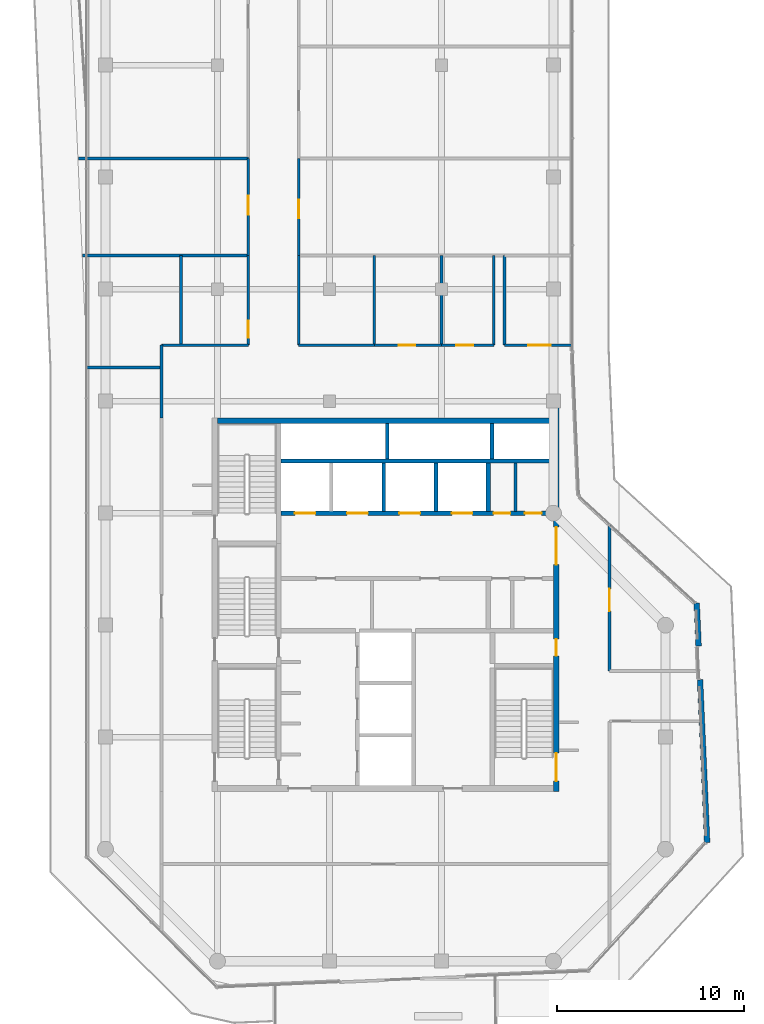
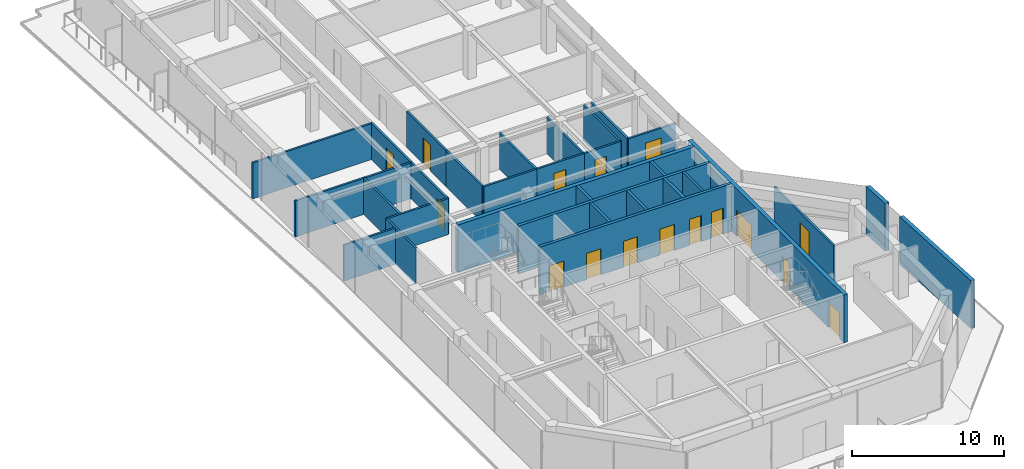
# One storey, part 17 of 20: 31 walls, 16 doors, 16 openings.
"""IFC4 building model written with IfcOpenShell, lengths in metres."""

from ifc_helpers import new_model, si_unit, direction, frame, frame_2d, origin, place, context, subcontext, project, spatial, rectangle, extrude, material, layer, layer_set, type_object, element, fill, save


model = new_model("IFC4")

# Units and contexts
model_context = context("Model", 3, precision=1e-05, world=origin(), true_north=direction((0.0, 1.0)))
body_context = subcontext(model_context, "Body", "Model", "MODEL_VIEW")
ifc_project = project(units=[si_unit("LENGTHUNIT", "METRE"), si_unit("AREAUNIT", "SQUARE_METRE"), si_unit("VOLUMEUNIT", "CUBIC_METRE"), si_unit("PLANEANGLEUNIT", "RADIAN"), si_unit("MASSUNIT", "GRAM", prefix="KILO")], contexts=[model_context])

# Site, building, storey
site_placement = place(None, origin())
site = spatial("IfcSite", under=ifc_project, at=site_placement, CompositionType="ELEMENT")
building_placement = place(site_placement, origin())
building = spatial("IfcBuilding", under=site, at=building_placement, Name="Welwitschia Terrace Campus", CompositionType="ELEMENT")
storey_placement = place(building_placement, frame((0.0, 0.0, 297.800048828125)))
storey = spatial("IfcBuildingStorey", under=building, at=storey_placement, Name="L66", CompositionType="ELEMENT", Elevation=297.800048828125)

# Wall
ifc_material_1 = material(Name="Concrete C32/40", Category="concrete")
ifc_layer_1 = layer(ifc_material_1, 0.175048828125)
ifc_layer_set_1 = layer_set([ifc_layer_1], Name="Concrete C32/40")
wall_type_1 = type_object("IfcWallType", Name="Core partition 175 Concrete C32/40", PredefinedType="PARTITIONING", material=ifc_layer_set_1)
wall_1_placement = place(storey_placement, frame((21.9599609375, 20.10009765625, 0.0), z_axis=(0.0, 0.0, 1.0), x_axis=(0.0, 1.0, 0.0)))
element("IfcWall", 1, at=wall_1_placement, inside=storey, type_object=wall_type_1, Name="Core partition", PredefinedType="PARTITIONING", context=body_context, shape_type="SweptSolid", body=[
    extrude(rectangle(XDim=2.599853515625, YDim=0.175048828125, at=frame_2d((1.2998046875, 0.0))), origin(), (0.0, 0.0, 1.0), 3.849853515625),
])

# Wall, openings, doors
ifc_material_2 = material(Name="Concrete C32/40", Category="concrete")
ifc_layer_2 = layer(ifc_material_2, 0.22509765625)
ifc_layer_set_2 = layer_set([ifc_layer_2], Name="Concrete C32/40")
wall_type_2 = type_object("IfcWallType", Name="Core partition 225 Concrete C32/40", PredefinedType="PARTITIONING", material=ifc_layer_set_2)
wall_2_placement = place(storey_placement, frame((24.0, 20.0, 0.0), z_axis=(0.0, 0.0, 1.0), x_axis=(-1.0, 0.0, 0.0)))
wall_2 = element("IfcWall", 2, at=wall_2_placement, inside=storey, type_object=wall_type_2, Name="Shaft wall", PredefinedType="PARTITIONING", context=body_context, shape_type="SweptSolid", body=[
    extrude(rectangle(XDim=14.60009765625, YDim=0.22509765625, at=frame_2d((7.300048828125, 0.0))), origin(), (0.0, 0.0, 1.0), 3.849853515625),
])
opening_1_placement = place(wall_2_placement, frame((12.75, 0.0, 0.0)))
opening_1 = element("IfcOpeningElement", 3, at=opening_1_placement, cuts=wall_2, Name="Opening LD", PredefinedType="OPENING", context=body_context, shape_type="SweptSolid", body=[
    extrude(rectangle(XDim=1.10009765625, YDim=2.10009765625, at=frame_2d((0.550048828125, 1.050048828125))), frame((0.0, 0.12255859375, 0.0), z_axis=(0.0, -1.0, 0.0), x_axis=(1.0, 0.0, 0.0)), (0.0, 0.0, 1.0), 0.2451171875),
])
opening_2_placement = place(wall_2_placement, frame((9.949951171875, 0.0, 0.0)))
opening_2 = element("IfcOpeningElement", 4, at=opening_2_placement, cuts=wall_2, Name="Opening LD", PredefinedType="OPENING", context=body_context, shape_type="SweptSolid", body=[
    extrude(rectangle(XDim=1.10009765625, YDim=2.10009765625, at=frame_2d((0.550048828125, 1.050048828125))), frame((0.0, 0.12255859375, 0.0), z_axis=(0.0, -1.0, 0.0), x_axis=(1.0, 0.0, 0.0)), (0.0, 0.0, 1.0), 0.2451171875),
])
opening_3_placement = place(wall_2_placement, frame((7.14990234375, 0.0, 0.0)))
opening_3 = element("IfcOpeningElement", 5, at=opening_3_placement, cuts=wall_2, Name="Opening LD", PredefinedType="OPENING", context=body_context, shape_type="SweptSolid", body=[
    extrude(rectangle(XDim=1.10009765625, YDim=2.10009765625, at=frame_2d((0.550048828125, 1.050048828125))), frame((0.0, 0.12255859375, 0.0), z_axis=(0.0, -1.0, 0.0), x_axis=(1.0, 0.0, 0.0)), (0.0, 0.0, 1.0), 0.2451171875),
])
opening_4_placement = place(wall_2_placement, frame((4.35009765625, 0.0, 0.0)))
opening_4 = element("IfcOpeningElement", 6, at=opening_4_placement, cuts=wall_2, Name="Opening LD", PredefinedType="OPENING", context=body_context, shape_type="SweptSolid", body=[
    extrude(rectangle(XDim=1.10009765625, YDim=2.10009765625, at=frame_2d((0.550048828125, 1.050048828125))), frame((0.0, 0.12255859375, 0.0), z_axis=(0.0, -1.0, 0.0), x_axis=(1.0, 0.0, 0.0)), (0.0, 0.0, 1.0), 0.2451171875),
])
opening_5_placement = place(wall_2_placement, frame((2.3076171875, 0.0, 0.0)))
opening_5 = element("IfcOpeningElement", 7, at=opening_5_placement, cuts=wall_2, Name="Opening DR09", PredefinedType="OPENING", context=body_context, shape_type="SweptSolid", body=[
    extrude(rectangle(XDim=0.89990234375, YDim=2.10009765625, at=frame_2d((0.449951171875, 1.050048828125))), frame((0.0, 0.12255859375, 0.0), z_axis=(0.0, -1.0, 0.0), x_axis=(1.0, 0.0, 0.0)), (0.0, 0.0, 1.0), 0.2451171875),
])
opening_6_placement = place(wall_2_placement, frame((0.633056640625, 0.0, 0.0)))
opening_6 = element("IfcOpeningElement", 8, at=opening_6_placement, cuts=wall_2, Name="Opening DR09", PredefinedType="OPENING", context=body_context, shape_type="SweptSolid", body=[
    extrude(rectangle(XDim=0.89990234375, YDim=2.10009765625, at=frame_2d((0.449951171875, 1.050048828125))), frame((0.0, 0.12255859375, 0.0), z_axis=(0.0, -1.0, 0.0), x_axis=(1.0, 0.0, 0.0)), (0.0, 0.0, 1.0), 0.2451171875),
])
ifc_material_3 = material(Name="Steel S275", Category="steel")
door_type_1 = type_object("IfcDoorType", Name="Core door DR09", OperationType="SINGLE_SWING_LEFT", PredefinedType="DOOR", material=ifc_material_3)
door_1_placement = place(opening_5_placement, origin())
door_1 = element("IfcDoor", 9, at=door_1_placement, inside=storey, type_object=door_type_1, Name="Door EH1-D", OperationType="SINGLE_SWING_LEFT", OverallHeight=2.10009765625, OverallWidth=0.89990234375, PredefinedType="DOOR", context=body_context, shape_type="SweptSolid", body=[
    extrude(rectangle(XDim=0.89990234375, YDim=2.10009765625, at=frame_2d((0.449951171875, 1.050048828125))), frame((0.0, 0.02490234375, 0.0), z_axis=(0.0, -1.0, 0.0), x_axis=(1.0, 0.0, 0.0)), (0.0, 0.0, 1.0), 0.050048828125),
])
fill(opening_5, door_1)
door_2_placement = place(opening_6_placement, origin())
door_2 = element("IfcDoor", 10, at=door_2_placement, inside=storey, type_object=door_type_1, Name="Door EH2-D", OperationType="SINGLE_SWING_LEFT", OverallHeight=2.10009765625, OverallWidth=0.89990234375, PredefinedType="DOOR", context=body_context, shape_type="SweptSolid", body=[
    extrude(rectangle(XDim=0.89990234375, YDim=2.10009765625, at=frame_2d((0.449951171875, 1.050048828125))), frame((0.0, 0.02490234375, 0.0), z_axis=(0.0, -1.0, 0.0), x_axis=(1.0, 0.0, 0.0)), (0.0, 0.0, 1.0), 0.050048828125),
])
fill(opening_6, door_2)
ifc_material_4 = material(Name="Stainless steel 304", Category="steel")
door_type_2 = type_object("IfcDoorType", Name="Lift landing door", OperationType="DOUBLE_DOOR_SLIDING", PredefinedType="DOOR", material=ifc_material_4)
door_3_placement = place(opening_1_placement, origin())
door_3 = element("IfcDoor", 11, at=door_3_placement, inside=storey, type_object=door_type_2, Name="Landing door HR1", OperationType="DOUBLE_DOOR_SLIDING", OverallHeight=2.10009765625, OverallWidth=1.10009765625, PredefinedType="DOOR", context=body_context, shape_type="SweptSolid", body=[
    extrude(rectangle(XDim=1.10009765625, YDim=2.10009765625, at=frame_2d((0.550048828125, 1.050048828125))), frame((0.0, 0.02490234375, 0.0), z_axis=(0.0, -1.0, 0.0), x_axis=(1.0, 0.0, 0.0)), (0.0, 0.0, 1.0), 0.050048828125),
])
fill(opening_1, door_3)
door_4_placement = place(opening_2_placement, origin())
door_4 = element("IfcDoor", 12, at=door_4_placement, inside=storey, type_object=door_type_2, Name="Landing door HR2", OperationType="DOUBLE_DOOR_SLIDING", OverallHeight=2.10009765625, OverallWidth=1.10009765625, PredefinedType="DOOR", context=body_context, shape_type="SweptSolid", body=[
    extrude(rectangle(XDim=1.10009765625, YDim=2.10009765625, at=frame_2d((0.550048828125, 1.050048828125))), frame((0.0, 0.02490234375, 0.0), z_axis=(0.0, -1.0, 0.0), x_axis=(1.0, 0.0, 0.0)), (0.0, 0.0, 1.0), 0.050048828125),
])
fill(opening_2, door_4)
door_5_placement = place(opening_3_placement, origin())
door_5 = element("IfcDoor", 13, at=door_5_placement, inside=storey, type_object=door_type_2, Name="Landing door HR3", OperationType="DOUBLE_DOOR_SLIDING", OverallHeight=2.10009765625, OverallWidth=1.10009765625, PredefinedType="DOOR", context=body_context, shape_type="SweptSolid", body=[
    extrude(rectangle(XDim=1.10009765625, YDim=2.10009765625, at=frame_2d((0.550048828125, 1.050048828125))), frame((0.0, 0.02490234375, 0.0), z_axis=(0.0, -1.0, 0.0), x_axis=(1.0, 0.0, 0.0)), (0.0, 0.0, 1.0), 0.050048828125),
])
fill(opening_3, door_5)
door_6_placement = place(opening_4_placement, origin())
door_6 = element("IfcDoor", 14, at=door_6_placement, inside=storey, type_object=door_type_2, Name="Landing door HR4", OperationType="DOUBLE_DOOR_SLIDING", OverallHeight=2.10009765625, OverallWidth=1.10009765625, PredefinedType="DOOR", context=body_context, shape_type="SweptSolid", body=[
    extrude(rectangle(XDim=1.10009765625, YDim=2.10009765625, at=frame_2d((0.550048828125, 1.050048828125))), frame((0.0, 0.02490234375, 0.0), z_axis=(0.0, -1.0, 0.0), x_axis=(1.0, 0.0, 0.0)), (0.0, 0.0, 1.0), 0.050048828125),
])
fill(opening_4, door_6)

# Walls
wall_3_placement = place(storey_placement, frame((9.39990234375, 22.800048828125, 0.0), z_axis=(0.0, 0.0, 1.0), x_axis=(1.0, 0.0, 0.0)))
element("IfcWall", 15, at=wall_3_placement, inside=storey, type_object=wall_type_2, Name="Shaft wall", PredefinedType="PARTITIONING", context=body_context, shape_type="SweptSolid", body=[
    extrude(rectangle(XDim=14.60009765625, YDim=0.22509765625, at=frame_2d((7.300048828125, 0.0))), origin(), (0.0, 0.0, 1.0), 3.849853515625),
])
wall_4_placement = place(storey_placement, frame((20.5, 20.10009765625, 0.0), z_axis=(0.0, 0.0, 1.0), x_axis=(0.0, 1.0, 0.0)))
element("IfcWall", 16, at=wall_4_placement, inside=storey, type_object=wall_type_2, Name="Shaft wall", PredefinedType="PARTITIONING", context=body_context, shape_type="SweptSolid", body=[
    extrude(rectangle(XDim=2.599853515625, YDim=0.22509765625, at=frame_2d((1.2998046875, 0.0))), origin(), (0.0, 0.0, 1.0), 3.849853515625),
])
ifc_material_5 = material(Name="Concrete C50/60", Category="concrete")
ifc_layer_3 = layer(ifc_material_5, 0.199951171875)
ifc_layer_set_3 = layer_set([ifc_layer_3], Name="Concrete C50/60")
wall_type_3 = type_object("IfcWallType", Name="Core wall 200 Concrete C50/60", PredefinedType="SHEAR", material=ifc_layer_set_3)
for number, where, z_axis, x_axis, name in (
    (17, (15.10009765625, 22.89990234375, 0.0), (0.0, 0.0, 1.0), (0.0, 1.0, 0.0), "Core wall"),
    (18, (20.699951171875, 22.89990234375, 0.0), (0.0, 0.0, 1.0), (0.0, 1.0, 0.0), "Core wall"),
):
    element("IfcWall", number, at=place(storey_placement, frame(where, z_axis=z_axis, x_axis=x_axis)), inside=storey, type_object=wall_type_3, Name=name, PredefinedType="SHEAR", context=body_context, shape_type="SweptSolid", body=[
        extrude(rectangle(XDim=1.900146484375, YDim=0.199951171875, at=frame_2d((0.9501953125, 0.0))), origin(), (0.0, 0.0, 1.0), 3.849853515625),
    ])

# Wall, openings, doors
ifc_material_6 = material(Name="Concrete C50/60", Category="concrete")
ifc_layer_4 = layer(ifc_material_6, 0.300048828125)
ifc_layer_set_4 = layer_set([ifc_layer_4], Name="Concrete C50/60")
wall_type_4 = type_object("IfcWallType", Name="Core wall 300 Concrete C50/60", PredefinedType="SHEAR", material=ifc_layer_set_4)
wall_5_placement = place(storey_placement, frame((24.14990234375, 25.655029296875, 0.0), z_axis=(0.0, 0.0, 1.0), x_axis=(0.0, -1.0, 0.0)))
wall_5 = element("IfcWall", 19, at=wall_5_placement, inside=storey, type_object=wall_type_4, Name="Core outer wall", PredefinedType="SHEAR", context=body_context, shape_type="SweptSolid", body=[
    extrude(rectangle(XDim=20.554931640625, YDim=0.300048828125, at=frame_2d((10.27734375, 0.0))), origin(), (0.0, 0.0, 1.0), 3.849853515625),
])
opening_7_placement = place(wall_5_placement, frame((18.5048828125, 0.0, 0.0)))
opening_7 = element("IfcOpeningElement", 20, at=opening_7_placement, cuts=wall_5, Name="Opening DS15", PredefinedType="OPENING", context=body_context, shape_type="SweptSolid", body=[
    extrude(rectangle(XDim=1.5, YDim=2.10009765625, at=frame_2d((0.75, 1.050048828125))), frame((0.0, 0.159912109375, 0.0), z_axis=(0.0, -1.0, 0.0), x_axis=(1.0, 0.0, 0.0)), (0.0, 0.0, 1.0), 0.320068359375),
])
opening_8_placement = place(wall_5_placement, frame((12.405029296875, 0.0, 0.0)))
opening_8 = element("IfcOpeningElement", 21, at=opening_8_placement, cuts=wall_5, Name="Opening DR09", PredefinedType="OPENING", context=body_context, shape_type="SweptSolid", body=[
    extrude(rectangle(XDim=0.89990234375, YDim=2.10009765625, at=frame_2d((0.449951171875, 1.050048828125))), frame((0.0, 0.159912109375, 0.0), z_axis=(0.0, -1.0, 0.0), x_axis=(1.0, 0.0, 0.0)), (0.0, 0.0, 1.0), 0.320068359375),
])
opening_9_placement = place(wall_5_placement, frame((6.405029296875, 0.0, 0.0)))
opening_9 = element("IfcOpeningElement", 22, at=opening_9_placement, cuts=wall_5, Name="Opening DL20", PredefinedType="OPENING", context=body_context, shape_type="SweptSolid", body=[
    extrude(rectangle(XDim=2.0, YDim=2.10009765625, at=frame_2d((1.0, 1.050048828125))), frame((0.0, 0.159912109375, 0.0), z_axis=(0.0, -1.0, 0.0), x_axis=(1.0, 0.0, 0.0)), (0.0, 0.0, 1.0), 0.320068359375),
])
ifc_material_7 = material(Name="Steel S275", Category="steel")
door_type_3 = type_object("IfcDoorType", Name="Core door DL20", OperationType="DOUBLE_DOOR_SINGLE_SWING", PredefinedType="DOOR", material=ifc_material_7)
door_7_placement = place(opening_9_placement, origin())
door_7 = element("IfcDoor", 23, at=door_7_placement, inside=storey, type_object=door_type_3, Name="Door LOBBY-out", OperationType="DOUBLE_DOOR_SINGLE_SWING", OverallHeight=2.10009765625, OverallWidth=2.0, PredefinedType="DOOR", context=body_context, shape_type="SweptSolid", body=[
    extrude(rectangle(XDim=2.0, YDim=2.10009765625, at=frame_2d((1.0, 1.050048828125))), frame((0.0, 0.02490234375, 0.0), z_axis=(0.0, -1.0, 0.0), x_axis=(1.0, 0.0, 0.0)), (0.0, 0.0, 1.0), 0.050048828125),
])
fill(opening_9, door_7)
door_8_placement = place(opening_8_placement, origin())
door_8 = element("IfcDoor", 24, at=door_8_placement, inside=storey, type_object=door_type_1, Name="Door F1B-out", OperationType="SINGLE_SWING_RIGHT", OverallHeight=2.10009765625, OverallWidth=0.89990234375, PredefinedType="DOOR", context=body_context, shape_type="SweptSolid", body=[
    extrude(rectangle(XDim=0.89990234375, YDim=2.10009765625, at=frame_2d((0.449951171875, 1.050048828125))), frame((0.0, 0.02490234375, 0.0), z_axis=(0.0, -1.0, 0.0), x_axis=(1.0, 0.0, 0.0)), (0.0, 0.0, 1.0), 0.050048828125),
])
fill(opening_8, door_8)
ifc_material_8 = material(Name="Steel S275", Category="steel")
door_type_4 = type_object("IfcDoorType", Name="Core door DS15", OperationType="DOUBLE_DOOR_SINGLE_SWING", PredefinedType="DOOR", material=ifc_material_8)
door_9_placement = place(opening_7_placement, origin())
door_9 = element("IfcDoor", 25, at=door_9_placement, inside=storey, type_object=door_type_4, Name="Door S2-out", OperationType="DOUBLE_DOOR_SINGLE_SWING", OverallHeight=2.10009765625, OverallWidth=1.5, PredefinedType="DOOR", context=body_context, shape_type="SweptSolid", body=[
    extrude(rectangle(XDim=1.5, YDim=2.10009765625, at=frame_2d((0.75, 1.050048828125))), frame((0.0, 0.02490234375, 0.0), z_axis=(0.0, -1.0, 0.0), x_axis=(1.0, 0.0, 0.0)), (0.0, 0.0, 1.0), 0.050048828125),
])
fill(opening_7, door_9)

# Walls
wall_6_placement = place(storey_placement, frame((6.0, 24.949951171875, 0.0), z_axis=(0.0, 0.0, 1.0), x_axis=(1.0, 0.0, 0.0)))
element("IfcWall", 26, at=wall_6_placement, inside=storey, type_object=wall_type_4, Name="Core outer wall", PredefinedType="SHEAR", context=body_context, shape_type="SweptSolid", body=[
    extrude(rectangle(XDim=18.0, YDim=0.300048828125, at=frame_2d((9.0, 0.0))), origin(), (0.0, 0.0, 1.0), 3.849853515625),
])
ifc_material_9 = material(Name="Gypsum board on steel studs", Category="steel")
ifc_layer_5 = layer(ifc_material_9, 0.14990234375)
ifc_layer_set_5 = layer_set([ifc_layer_5], Name="Gypsum board on steel studs")
wall_type_5 = type_object("IfcWallType", Name="Corridor partition 150 EI 30", PredefinedType="PARTITIONING", material=ifc_layer_set_5)
wall_7_placement = place(storey_placement, frame((-1.4599609375, 39.0, 0.0), z_axis=(0.0, 0.0, 1.0), x_axis=(1.0, 0.0, 0.0)))
element("IfcWall", 27, at=wall_7_placement, inside=storey, type_object=wall_type_5, Name="Partition", PredefinedType="PARTITIONING", context=body_context, shape_type="SweptSolid", body=[
    extrude(rectangle(XDim=9.10986328125, YDim=0.14990234375, at=frame_2d((4.554931640625, 0.0))), origin(), (0.0, 0.0, 1.0), 2.89990234375),
])
wall_8_placement = place(storey_placement, frame((-1.22998046875, 33.800048828125, 0.0), z_axis=(0.0, 0.0, 1.0), x_axis=(1.0, 0.0, 0.0)))
element("IfcWall", 28, at=wall_8_placement, inside=storey, type_object=wall_type_5, Name="Partition", PredefinedType="PARTITIONING", context=body_context, shape_type="SweptSolid", body=[
    extrude(rectangle(XDim=8.8798828125, YDim=0.14990234375, at=frame_2d((4.43994140625, 0.0))), origin(), (0.0, 0.0, 1.0), 2.89990234375),
])
wall_9_placement = place(storey_placement, frame((-0.97998046875, 27.800048828125, 0.0), z_axis=(0.0, 0.0, 1.0), x_axis=(1.0, 0.0, 0.0)))
element("IfcWall", 29, at=wall_9_placement, inside=storey, type_object=wall_type_5, Name="Partition", PredefinedType="PARTITIONING", context=body_context, shape_type="SweptSolid", body=[
    extrude(rectangle(XDim=3.97998046875, YDim=0.14990234375, at=frame_2d((1.989990234375, 0.0))), origin(), (0.0, 0.0, 1.0), 2.89990234375),
])
wall_10_placement = place(storey_placement, frame((3.0, 25.10009765625, 0.0), z_axis=(0.0, 0.0, 1.0), x_axis=(0.0, 1.0, 0.0)))
element("IfcWall", 30, at=wall_10_placement, inside=storey, type_object=wall_type_5, Name="Partition", PredefinedType="PARTITIONING", context=body_context, shape_type="SweptSolid", body=[
    extrude(rectangle(XDim=3.89990234375, YDim=0.14990234375, at=frame_2d((1.949951171875, 0.0))), origin(), (0.0, 0.0, 1.0), 2.89990234375),
])
wall_11_placement = place(storey_placement, frame((3.0, 29.0, 0.0), z_axis=(0.0, 0.0, 1.0), x_axis=(1.0, 0.0, 0.0)))
element("IfcWall", 31, at=wall_11_placement, inside=storey, type_object=wall_type_5, Name="Partition", PredefinedType="PARTITIONING", context=body_context, shape_type="SweptSolid", body=[
    extrude(rectangle(XDim=4.64990234375, YDim=0.14990234375, at=frame_2d((2.324951171875, 0.0))), origin(), (0.0, 0.0, 1.0), 2.89990234375),
])
wall_12_placement = place(storey_placement, frame((4.050048828125, 29.0, 0.0), z_axis=(0.0, 0.0, 1.0), x_axis=(0.0, 1.0, 0.0)))
element("IfcWall", 32, at=wall_12_placement, inside=storey, type_object=wall_type_5, Name="Partition", PredefinedType="PARTITIONING", context=body_context, shape_type="SweptSolid", body=[
    extrude(rectangle(XDim=4.800048828125, YDim=0.14990234375, at=frame_2d((2.39990234375, 0.0))), origin(), (0.0, 0.0, 1.0), 2.89990234375),
])

# Wall, opening, door
wall_13_placement = place(storey_placement, frame((7.64990234375, 29.0, 0.0), z_axis=(0.0, 0.0, 1.0), x_axis=(0.0, 1.0, 0.0)))
wall_13 = element("IfcWall", 33, at=wall_13_placement, inside=storey, type_object=wall_type_5, Name="Partition", PredefinedType="PARTITIONING", context=body_context, shape_type="SweptSolid", body=[
    extrude(rectangle(XDim=4.800048828125, YDim=0.14990234375, at=frame_2d((2.39990234375, 0.0))), origin(), (0.0, 0.0, 1.0), 2.89990234375),
])
opening_10_placement = place(wall_13_placement, frame((0.39990234375, 0.0, 0.0)))
opening_10 = element("IfcOpeningElement", 34, at=opening_10_placement, cuts=wall_13, Name="Opening DI09", PredefinedType="OPENING", context=body_context, shape_type="SweptSolid", body=[
    extrude(rectangle(XDim=0.89990234375, YDim=2.10009765625, at=frame_2d((0.449951171875, 1.050048828125))), frame((0.0, 0.0849609375, 0.0), z_axis=(0.0, -1.0, 0.0), x_axis=(1.0, 0.0, 0.0)), (0.0, 0.0, 1.0), 0.169921875),
])
ifc_material_10 = material(Name="Timber veneered door", Category="wood")
door_type_5 = type_object("IfcDoorType", Name="Interior door DI09", OperationType="NOTDEFINED", PredefinedType="DOOR", material=ifc_material_10)
door_10_placement = place(opening_10_placement, origin())
door_10 = element("IfcDoor", 35, at=door_10_placement, inside=storey, type_object=door_type_5, Name="Door L66 1169", OperationType="SINGLE_SWING_RIGHT", OverallHeight=2.10009765625, OverallWidth=0.89990234375, PredefinedType="DOOR", context=body_context, shape_type="SweptSolid", body=[
    extrude(rectangle(XDim=0.89990234375, YDim=2.10009765625, at=frame_2d((0.449951171875, 1.050048828125))), frame((0.0, 0.02490234375, 0.0), z_axis=(0.0, -1.0, 0.0), x_axis=(1.0, 0.0, 0.0)), (0.0, 0.0, 1.0), 0.050048828125),
])
fill(opening_10, door_10)

wall_14_placement = place(storey_placement, frame((7.64990234375, 33.800048828125, 0.0), z_axis=(0.0, 0.0, 1.0), x_axis=(0.0, 1.0, 0.0)))
wall_14 = element("IfcWall", 36, at=wall_14_placement, inside=storey, type_object=wall_type_5, Name="Partition", PredefinedType="PARTITIONING", context=body_context, shape_type="SweptSolid", body=[
    extrude(rectangle(XDim=5.199951171875, YDim=0.14990234375, at=frame_2d((2.60009765625, 0.0))), origin(), (0.0, 0.0, 1.0), 2.89990234375),
])
opening_11_placement = place(wall_14_placement, frame((2.199951171875, 0.0, 0.0)))
opening_11 = element("IfcOpeningElement", 37, at=opening_11_placement, cuts=wall_14, Name="Opening DI10", PredefinedType="OPENING", context=body_context, shape_type="SweptSolid", body=[
    extrude(rectangle(XDim=1.0, YDim=2.10009765625, at=frame_2d((0.5, 1.050048828125))), frame((0.0, 0.0849609375, 0.0), z_axis=(0.0, -1.0, 0.0), x_axis=(1.0, 0.0, 0.0)), (0.0, 0.0, 1.0), 0.169921875),
])
ifc_material_11 = material(Name="Timber veneered door", Category="wood")
door_type_6 = type_object("IfcDoorType", Name="Interior door DI10", OperationType="NOTDEFINED", PredefinedType="DOOR", material=ifc_material_11)
door_11_placement = place(opening_11_placement, origin())
door_11 = element("IfcDoor", 38, at=door_11_placement, inside=storey, type_object=door_type_6, Name="Door L66 1170", OperationType="SINGLE_SWING_LEFT", OverallHeight=2.10009765625, OverallWidth=1.0, PredefinedType="DOOR", context=body_context, shape_type="SweptSolid", body=[
    extrude(rectangle(XDim=1.0, YDim=2.10009765625, at=frame_2d((0.5, 1.050048828125))), frame((0.0, 0.02490234375, 0.0), z_axis=(0.0, -1.0, 0.0), x_axis=(1.0, 0.0, 0.0)), (0.0, 0.0, 1.0), 0.050048828125),
])
fill(opening_11, door_11)

# Walls
wall_15_placement = place(storey_placement, frame((10.35009765625, 29.0, 0.0), z_axis=(0.0, 0.0, 1.0), x_axis=(0.0, 1.0, 0.0)))
element("IfcWall", 39, at=wall_15_placement, inside=storey, type_object=wall_type_5, Name="Partition", PredefinedType="PARTITIONING", context=body_context, shape_type="SweptSolid", body=[
    extrude(rectangle(XDim=4.800048828125, YDim=0.14990234375, at=frame_2d((2.39990234375, 0.0))), origin(), (0.0, 0.0, 1.0), 2.89990234375),
])
wall_16_placement = place(storey_placement, frame((10.35009765625, 29.0, 0.0), z_axis=(0.0, 0.0, 1.0), x_axis=(1.0, 0.0, 0.0)))
element("IfcWall", 40, at=wall_16_placement, inside=storey, type_object=wall_type_5, Name="Partition", PredefinedType="PARTITIONING", context=body_context, shape_type="SweptSolid", body=[
    extrude(rectangle(XDim=4.0498046875, YDim=0.14990234375, at=frame_2d((2.02490234375, 0.0))), origin(), (0.0, 0.0, 1.0), 2.89990234375),
])

# Wall, opening, door
wall_17_placement = place(storey_placement, frame((10.35009765625, 39.0, 0.0), z_axis=(0.0, 0.0, 1.0), x_axis=(0.0, -1.0, 0.0)))
wall_17 = element("IfcWall", 41, at=wall_17_placement, inside=storey, type_object=wall_type_5, Name="Partition", PredefinedType="PARTITIONING", context=body_context, shape_type="SweptSolid", body=[
    extrude(rectangle(XDim=5.199951171875, YDim=0.14990234375, at=frame_2d((2.60009765625, 0.0))), origin(), (0.0, 0.0, 1.0), 2.89990234375),
])
opening_12_placement = place(wall_17_placement, frame((2.199951171875, 0.0, 0.0)))
opening_12 = element("IfcOpeningElement", 42, at=opening_12_placement, cuts=wall_17, Name="Opening DI10", PredefinedType="OPENING", context=body_context, shape_type="SweptSolid", body=[
    extrude(rectangle(XDim=1.0, YDim=2.10009765625, at=frame_2d((0.5, 1.050048828125))), frame((0.0, 0.0849609375, 0.0), z_axis=(0.0, -1.0, 0.0), x_axis=(1.0, 0.0, 0.0)), (0.0, 0.0, 1.0), 0.169921875),
])
door_12_placement = place(opening_12_placement, origin())
door_12 = element("IfcDoor", 43, at=door_12_placement, inside=storey, type_object=door_type_6, Name="Door L66 1174", OperationType="SINGLE_SWING_LEFT", OverallHeight=2.10009765625, OverallWidth=1.0, PredefinedType="DOOR", context=body_context, shape_type="SweptSolid", body=[
    extrude(rectangle(XDim=1.0, YDim=2.10009765625, at=frame_2d((0.5, 1.050048828125))), frame((0.0, 0.02490234375, 0.0), z_axis=(0.0, -1.0, 0.0), x_axis=(1.0, 0.0, 0.0)), (0.0, 0.0, 1.0), 0.050048828125),
])
fill(opening_12, door_12)

# Wall
wall_18_placement = place(storey_placement, frame((14.39990234375, 29.0, 0.0), z_axis=(0.0, 0.0, 1.0), x_axis=(0.0, 1.0, 0.0)))
element("IfcWall", 44, at=wall_18_placement, inside=storey, type_object=wall_type_5, Name="Partition", PredefinedType="PARTITIONING", context=body_context, shape_type="SweptSolid", body=[
    extrude(rectangle(XDim=4.800048828125, YDim=0.14990234375, at=frame_2d((2.39990234375, 0.0))), origin(), (0.0, 0.0, 1.0), 2.89990234375),
])

# Wall, opening, door
wall_19_placement = place(storey_placement, frame((14.39990234375, 29.0, 0.0), z_axis=(0.0, 0.0, 1.0), x_axis=(1.0, 0.0, 0.0)))
wall_19 = element("IfcWall", 45, at=wall_19_placement, inside=storey, type_object=wall_type_5, Name="Partition", PredefinedType="PARTITIONING", context=body_context, shape_type="SweptSolid", body=[
    extrude(rectangle(XDim=3.60009765625, YDim=0.14990234375, at=frame_2d((1.800048828125, 0.0))), origin(), (0.0, 0.0, 1.0), 2.89990234375),
])
opening_13_placement = place(wall_19_placement, frame((1.300048828125, 0.0, 0.0)))
opening_13 = element("IfcOpeningElement", 46, at=opening_13_placement, cuts=wall_19, Name="Opening DI09", PredefinedType="OPENING", context=body_context, shape_type="SweptSolid", body=[
    extrude(rectangle(XDim=0.89990234375, YDim=2.10009765625, at=frame_2d((0.449951171875, 1.050048828125))), frame((0.0, 0.0849609375, 0.0), z_axis=(0.0, -1.0, 0.0), x_axis=(1.0, 0.0, 0.0)), (0.0, 0.0, 1.0), 0.169921875),
])
door_13_placement = place(opening_13_placement, origin())
door_13 = element("IfcDoor", 47, at=door_13_placement, inside=storey, type_object=door_type_5, Name="Door L66 1178", OperationType="SINGLE_SWING_LEFT", OverallHeight=2.10009765625, OverallWidth=0.89990234375, PredefinedType="DOOR", context=body_context, shape_type="SweptSolid", body=[
    extrude(rectangle(XDim=0.89990234375, YDim=2.10009765625, at=frame_2d((0.449951171875, 1.050048828125))), frame((0.0, 0.02490234375, 0.0), z_axis=(0.0, -1.0, 0.0), x_axis=(1.0, 0.0, 0.0)), (0.0, 0.0, 1.0), 0.050048828125),
])
fill(opening_13, door_13)

# Wall
wall_20_placement = place(storey_placement, frame((18.0, 29.0, 0.0), z_axis=(0.0, 0.0, 1.0), x_axis=(0.0, 1.0, 0.0)))
element("IfcWall", 48, at=wall_20_placement, inside=storey, type_object=wall_type_5, Name="Partition", PredefinedType="PARTITIONING", context=body_context, shape_type="SweptSolid", body=[
    extrude(rectangle(XDim=4.800048828125, YDim=0.14990234375, at=frame_2d((2.39990234375, 0.0))), origin(), (0.0, 0.0, 1.0), 2.89990234375),
])

# Wall, opening, door
wall_21_placement = place(storey_placement, frame((18.0, 29.0, 0.0), z_axis=(0.0, 0.0, 1.0), x_axis=(1.0, 0.0, 0.0)))
wall_21 = element("IfcWall", 49, at=wall_21_placement, inside=storey, type_object=wall_type_5, Name="Partition", PredefinedType="PARTITIONING", context=body_context, shape_type="SweptSolid", body=[
    extrude(rectangle(XDim=2.800048828125, YDim=0.14990234375, at=frame_2d((1.39990234375, 0.0))), origin(), (0.0, 0.0, 1.0), 2.89990234375),
])
opening_14_placement = place(wall_21_placement, frame((0.800048828125, 0.0, 0.0)))
opening_14 = element("IfcOpeningElement", 50, at=opening_14_placement, cuts=wall_21, Name="Opening DI09", PredefinedType="OPENING", context=body_context, shape_type="SweptSolid", body=[
    extrude(rectangle(XDim=0.89990234375, YDim=2.10009765625, at=frame_2d((0.449951171875, 1.050048828125))), frame((0.0, 0.0849609375, 0.0), z_axis=(0.0, -1.0, 0.0), x_axis=(1.0, 0.0, 0.0)), (0.0, 0.0, 1.0), 0.169921875),
])
door_14_placement = place(opening_14_placement, origin())
door_14 = element("IfcDoor", 51, at=door_14_placement, inside=storey, type_object=door_type_5, Name="Door L66 1179", OperationType="SINGLE_SWING_RIGHT", OverallHeight=2.10009765625, OverallWidth=0.89990234375, PredefinedType="DOOR", context=body_context, shape_type="SweptSolid", body=[
    extrude(rectangle(XDim=0.89990234375, YDim=2.10009765625, at=frame_2d((0.449951171875, 1.050048828125))), frame((0.0, 0.02490234375, 0.0), z_axis=(0.0, -1.0, 0.0), x_axis=(1.0, 0.0, 0.0)), (0.0, 0.0, 1.0), 0.050048828125),
])
fill(opening_14, door_14)

# Walls
for number, where, z_axis, x_axis, name in (
    (52, (20.800048828125, 29.0, 0.0), (0.0, 0.0, 1.0), (0.0, 1.0, 0.0), "Partition"),
    (53, (21.3798828125, 29.0, 0.0), (0.0, 0.0, 1.0), (0.0, 1.0, 0.0), "Partition"),
):
    element("IfcWall", number, at=place(storey_placement, frame(where, z_axis=z_axis, x_axis=x_axis)), inside=storey, type_object=wall_type_5, Name=name, PredefinedType="PARTITIONING", context=body_context, shape_type="SweptSolid", body=[
        extrude(rectangle(XDim=4.800048828125, YDim=0.14990234375, at=frame_2d((2.39990234375, 0.0))), origin(), (0.0, 0.0, 1.0), 2.89990234375),
    ])

# Wall, opening, door
wall_22_placement = place(storey_placement, frame((21.3798828125, 29.0, 0.0), z_axis=(0.0, 0.0, 1.0), x_axis=(1.0, 0.0, 0.0)))
wall_22 = element("IfcWall", 54, at=wall_22_placement, inside=storey, type_object=wall_type_5, Name="Partition", PredefinedType="PARTITIONING", context=body_context, shape_type="SweptSolid", body=[
    extrude(rectangle(XDim=3.580078125, YDim=0.14990234375, at=frame_2d((1.7900390625, 0.0))), origin(), (0.0, 0.0, 1.0), 2.89990234375),
])
opening_15_placement = place(wall_22_placement, frame((1.280029296875, 0.0, 0.0)))
opening_15 = element("IfcOpeningElement", 55, at=opening_15_placement, cuts=wall_22, Name="Opening DX12", PredefinedType="OPENING", context=body_context, shape_type="SweptSolid", body=[
    extrude(rectangle(XDim=1.199951171875, YDim=2.10009765625, at=frame_2d((0.60009765625, 1.050048828125))), frame((0.0, 0.0849609375, 0.0), z_axis=(0.0, -1.0, 0.0), x_axis=(1.0, 0.0, 0.0)), (0.0, 0.0, 1.0), 0.169921875),
])
ifc_material_12 = material(Name="Timber veneered door", Category="wood")
door_type_7 = type_object("IfcDoorType", Name="Interior door DX12", OperationType="NOTDEFINED", PredefinedType="DOOR", material=ifc_material_12)
door_15_placement = place(opening_15_placement, origin())
door_15 = element("IfcDoor", 56, at=door_15_placement, inside=storey, type_object=door_type_7, Name="Door L66 1180", OperationType="SINGLE_SWING_LEFT", OverallHeight=2.10009765625, OverallWidth=1.199951171875, PredefinedType="DOOR", context=body_context, shape_type="SweptSolid", body=[
    extrude(rectangle(XDim=1.199951171875, YDim=2.10009765625, at=frame_2d((0.60009765625, 1.050048828125))), frame((0.0, 0.02490234375, 0.0), z_axis=(0.0, -1.0, 0.0), x_axis=(1.0, 0.0, 0.0)), (0.0, 0.0, 1.0), 0.050048828125),
])
fill(opening_15, door_15)

wall_23_placement = place(storey_placement, frame((27.0, 19.35009765625, 0.0), z_axis=(0.0, 0.0, 1.0), x_axis=(0.0, -1.0, 0.0)))
wall_23 = element("IfcWall", 57, at=wall_23_placement, inside=storey, type_object=wall_type_5, Name="Partition", PredefinedType="PARTITIONING", context=body_context, shape_type="SweptSolid", body=[
    extrude(rectangle(XDim=7.800048828125, YDim=0.14990234375, at=frame_2d((3.89990234375, 0.0))), origin(), (0.0, 0.0, 1.0), 2.89990234375),
])
opening_16_placement = place(wall_23_placement, frame((3.39990234375, 0.0, 0.0)))
opening_16 = element("IfcOpeningElement", 58, at=opening_16_placement, cuts=wall_23, Name="Opening DI12", PredefinedType="OPENING", context=body_context, shape_type="SweptSolid", body=[
    extrude(rectangle(XDim=1.199951171875, YDim=2.10009765625, at=frame_2d((0.60009765625, 1.050048828125))), frame((0.0, 0.0849609375, 0.0), z_axis=(0.0, -1.0, 0.0), x_axis=(1.0, 0.0, 0.0)), (0.0, 0.0, 1.0), 0.169921875),
])
ifc_material_13 = material(Name="Timber veneered door", Category="wood")
door_type_8 = type_object("IfcDoorType", Name="Interior door DI12", OperationType="NOTDEFINED", PredefinedType="DOOR", material=ifc_material_13)
door_16_placement = place(opening_16_placement, origin())
door_16 = element("IfcDoor", 59, at=door_16_placement, inside=storey, type_object=door_type_8, Name="Door L66 1182", OperationType="SINGLE_SWING_LEFT", OverallHeight=2.10009765625, OverallWidth=1.199951171875, PredefinedType="DOOR", context=body_context, shape_type="SweptSolid", body=[
    extrude(rectangle(XDim=1.199951171875, YDim=2.10009765625, at=frame_2d((0.60009765625, 1.050048828125))), frame((0.0, 0.02490234375, 0.0), z_axis=(0.0, -1.0, 0.0), x_axis=(1.0, 0.0, 0.0)), (0.0, 0.0, 1.0), 0.050048828125),
])
fill(opening_16, door_16)

# Walls
ifc_material_14 = material(Name="Concrete C40/50", Category="concrete")
ifc_layer_6 = layer(ifc_material_14, 0.300048828125)
ifc_layer_set_6 = layer_set([ifc_layer_6], Name="Concrete C40/50")
wall_type_6 = type_object("IfcWallType", Name="Mass wall 300", PredefinedType="SOLIDWALL", material=ifc_layer_set_6)
wall_24_placement = place(storey_placement, frame((32.23291015625, 2.34521484375, 0.0), z_axis=(0.0, 0.0, 1.0), x_axis=(-0.043605726563, 0.999048817932, 0.0)))
element("IfcWall", 60, at=wall_24_placement, inside=storey, type_object=wall_type_6, Name="Mass wall L66.3.0", PredefinedType="SOLIDWALL", context=body_context, shape_type="SweptSolid", body=[
    extrude(rectangle(XDim=8.73974609375, YDim=0.300048828125, at=frame_2d((4.369873046875, 0.0))), origin(), (0.0, 0.0, 1.0), 3.849853515625),
])
wall_25_placement = place(storey_placement, frame((31.773193359375, 12.875, 0.0), z_axis=(0.0, 0.0, 1.0), x_axis=(-0.043588366225, 0.999049575512, 0.0)))
element("IfcWall", 61, at=wall_25_placement, inside=storey, type_object=wall_type_6, Name="Mass wall L66.3.1", PredefinedType="SOLIDWALL", context=body_context, shape_type="SweptSolid", body=[
    extrude(rectangle(XDim=2.313232421875, YDim=0.300048828125, at=frame_2d((1.15673828125, 0.0))), origin(), (0.0, 0.0, 1.0), 3.849853515625),
])
ifc_material_15 = material(Name="Concrete C32/40", Category="concrete")
ifc_layer_7 = layer(ifc_material_15, 0.199951171875)
ifc_layer_set_7 = layer_set([ifc_layer_7], Name="Concrete C32/40")
wall_type_7 = type_object("IfcWallType", Name="Shaft wall 200 Concrete C32/40", PredefinedType="SOLIDWALL", material=ifc_layer_set_7)
for number, where, z_axis, x_axis, name in (
    (62, (14.89990234375, 20.10009765625, 0.0), (0.0, 0.0, 1.0), (0.0, 1.0, 0.0), "Shaft wall"),
    (63, (17.699951171875, 20.10009765625, 0.0), (0.0, 0.0, 1.0), (0.0, 1.0, 0.0), "Shaft wall"),
):
    element("IfcWall", number, at=place(storey_placement, frame(where, z_axis=z_axis, x_axis=x_axis)), inside=storey, type_object=wall_type_7, Name=name, PredefinedType="SOLIDWALL", context=body_context, shape_type="SweptSolid", body=[
        extrude(rectangle(XDim=2.599853515625, YDim=0.199951171875, at=frame_2d((1.2998046875, 0.0))), origin(), (0.0, 0.0, 1.0), 3.849853515625),
    ])

save(model, "model.ifc")
